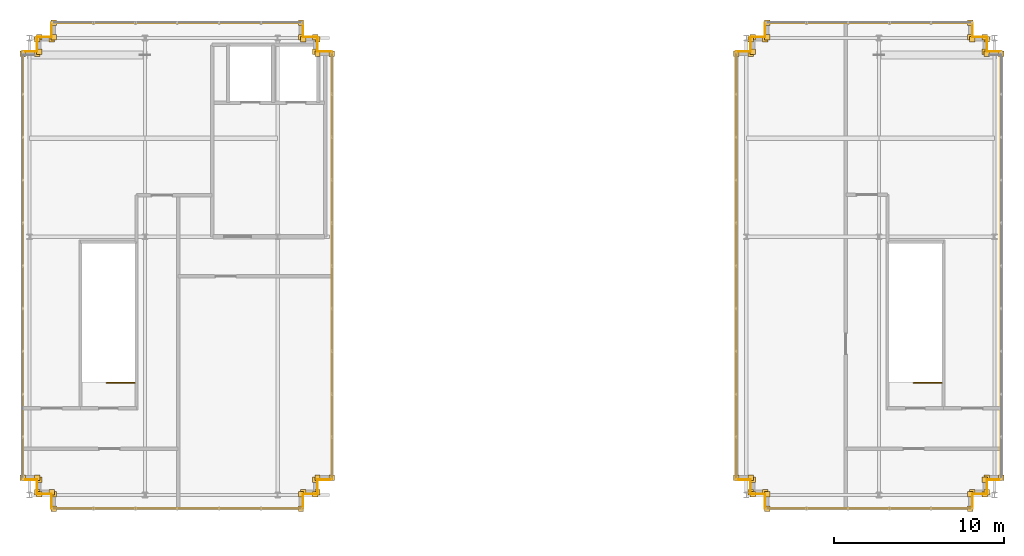
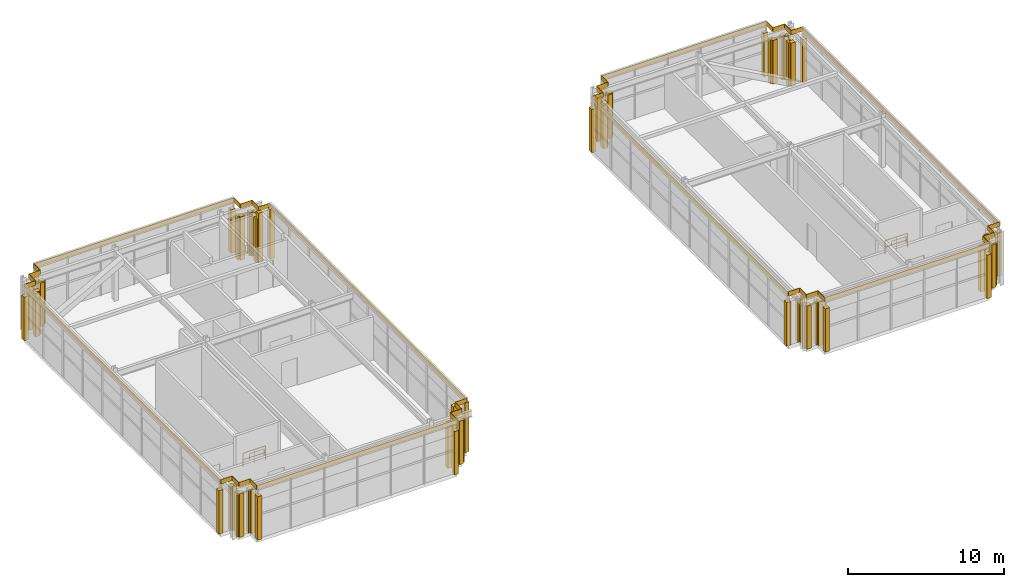
# One storey, part 25 of 25: 104 coverings, 2 railings.
"""IFC4 building model written with IfcOpenShell, lengths in metres."""

from ifc_helpers import new_model, si_unit, direction, frame, origin, origin_2d, place, context, subcontext, project, spatial, rectangle, extrude, source, transform, mapped, material, layer, layer_set, type_object, element, save


model = new_model("IFC4")

# Units and contexts
model_context = context("Model", 3, precision=1e-05, world=origin(), true_north=direction((0.0, 1.0)))
body_context = subcontext(model_context, "Body", "Model", "MODEL_VIEW")
ifc_project = project(units=[si_unit("LENGTHUNIT", "METRE"), si_unit("AREAUNIT", "SQUARE_METRE"), si_unit("VOLUMEUNIT", "CUBIC_METRE"), si_unit("PLANEANGLEUNIT", "RADIAN"), si_unit("MASSUNIT", "GRAM", prefix="KILO")], contexts=[model_context])

# Site, building, storey
site_placement = place(None, origin())
site = spatial("IfcSite", under=ifc_project, at=site_placement, CompositionType="ELEMENT")
building_placement = place(site_placement, origin())
building = spatial("IfcBuilding", under=site, at=building_placement, Name="Trelvane Seafront Commons", CompositionType="ELEMENT")
storey_placement = place(building_placement, frame((0.0, 0.0, 320.89990234375)))
storey = spatial("IfcBuildingStorey", under=building, at=storey_placement, Name="L83", CompositionType="ELEMENT", Elevation=320.89990234375)

# Railings
ifc_material_1 = material(Name="Stainless steel balustrade", Category="steel")
railing_type = type_object("IfcRailingType", Name="ARCH-SRL-GUARD", PredefinedType="GUARDRAIL", material=ifc_material_1)
for number, where, name in (
    (1, (15.0, 24.800048828125, 0.0), "L83 ST-5 top well guard 1"),
    (2, (62.5, 24.800048828125, 0.0), "L83 ST-6 top well guard 1"),
):
    element("IfcRailing", number, at=place(storey_placement, frame(where)), inside=storey, type_object=railing_type, Name=name, PredefinedType="GUARDRAIL", context=body_context, shape_type="SweptSolid", body=[
        extrude(rectangle(XDim=0.048095703125, YDim=0.048095703125, at=origin_2d()), frame((0.0, 0.0, 1.076171875), z_axis=(-1.0, 0.0, 0.0), x_axis=(0.0, -1.0, 0.0)), (0.0, 0.0, 1.0), 1.64990234375),
        extrude(rectangle(XDim=0.048095703125, YDim=0.048095703125, at=origin_2d()), frame((0.0, 0.0, 0.572021484375), z_axis=(-1.0, 0.0, 0.0), x_axis=(0.0, -1.0, 0.0)), (0.0, 0.0, 1.0), 1.64990234375),
        extrude(rectangle(XDim=0.0419921875, YDim=0.0419921875, at=origin_2d()), origin(), (0.0, 0.0, 1.0), 1.076171875),
        extrude(rectangle(XDim=0.0419921875, YDim=0.0419921875, at=origin_2d()), frame((-0.824951171875, 0.0, 0.0)), (0.0, 0.0, 1.0), 1.076171875),
        extrude(rectangle(XDim=0.0419921875, YDim=0.0419921875, at=origin_2d()), frame((-1.64990234375, 0.0, 0.0)), (0.0, 0.0, 1.0), 1.076171875),
    ])

# Coverings
ifc_material_2 = material(Name="Anodised pale-silver aluminium", Category="aluminium")
ifc_layer = layer(ifc_material_2, 0.034912109375, Name="ARCH-COV-CLAD35")
ifc_layer_set = layer_set([ifc_layer], Name="Anodised pale-silver aluminium")
covering_type = type_object("IfcCoveringType", Name="ARCH-COV-CLAD35", PredefinedType="CLADDING", material=ifc_layer_set)
shared_shape_1 = source(origin(), body_context, "Body", "SweptSolid", [
    extrude(rectangle(XDim=0.320068359375, YDim=0.320068359375, at=origin_2d()), origin(), (0.0, 0.0, 1.0), 3.39990234375),
])
for number, where, z_axis, x_axis, name in (
    (3, (10.10009765625, 18.3701171875, 0.000244140625), (0.0, 0.0, 1.0), (1.0, 0.0, 0.0), "CLD-CP-L83-00735"),
    (4, (9.25, 18.3701171875, 0.000244140625), (0.0, 0.0, 1.0), (1.0, 0.0, 0.0), "CLD-CP-L83-00736"),
    (5, (9.3701171875, 18.25, 0.000244140625), (0.0, 0.0, 1.0), (1.0, 0.0, 0.0), "CLD-CP-L83-00738"),
    (6, (9.3701171875, 19.10009765625, 0.000244140625), (0.0, 0.0, 1.0), (1.0, 0.0, 0.0), "CLD-CP-L83-00739"),
    (7, (9.25, 19.219970703125, 0.000244140625), (0.0, 0.0, 1.0), (1.0, 0.0, 0.0), "CLD-CP-L83-00741"),
    (8, (8.39990234375, 19.219970703125, 0.000244140625), (0.0, 0.0, 1.0), (1.0, 0.0, 0.0), "CLD-CP-L83-00742"),
    (9, (8.39990234375, 44.179931640625, 0.000244140625), (0.0, 0.0, 1.0), (1.0, 0.0, 0.0), "CLD-CP-L83-00745"),
    (10, (9.25, 44.179931640625, 0.000244140625), (0.0, 0.0, 1.0), (1.0, 0.0, 0.0), "CLD-CP-L83-00746"),
    (11, (9.3701171875, 44.300048828125, 0.000244140625), (0.0, 0.0, 1.0), (1.0, 0.0, 0.0), "CLD-CP-L83-00748"),
    (12, (9.3701171875, 45.14990234375, 0.000244140625), (0.0, 0.0, 1.0), (1.0, 0.0, 0.0), "CLD-CP-L83-00749"),
    (13, (9.25, 45.030029296875, 0.000244140625), (0.0, 0.0, 1.0), (1.0, 0.0, 0.0), "CLD-CP-L83-00751"),
    (14, (10.10009765625, 45.030029296875, 0.000244140625), (0.0, 0.0, 1.0), (1.0, 0.0, 0.0), "CLD-CP-L83-00752"),
    (15, (10.219970703125, 45.14990234375, 0.000244140625), (0.0, 0.0, 1.0), (1.0, 0.0, 0.0), "CLD-CP-L83-00754"),
    (16, (10.219970703125, 46.0, 0.000244140625), (0.0, 0.0, 1.0), (1.0, 0.0, 0.0), "CLD-CP-L83-00755"),
    (17, (24.780029296875, 46.0, 0.000244140625), (0.0, 0.0, 1.0), (1.0, 0.0, 0.0), "CLD-CP-L83-00758"),
    (18, (24.780029296875, 45.14990234375, 0.000244140625), (0.0, 0.0, 1.0), (1.0, 0.0, 0.0), "CLD-CP-L83-00759"),
    (19, (24.89990234375, 45.030029296875, 0.000244140625), (0.0, 0.0, 1.0), (1.0, 0.0, 0.0), "CLD-CP-L83-00761"),
    (20, (25.75, 45.030029296875, 0.000244140625), (0.0, 0.0, 1.0), (1.0, 0.0, 0.0), "CLD-CP-L83-00762"),
    (21, (25.6298828125, 45.14990234375, 0.000244140625), (0.0, 0.0, 1.0), (1.0, 0.0, 0.0), "CLD-CP-L83-00764"),
    (22, (25.6298828125, 44.300048828125, 0.000244140625), (0.0, 0.0, 1.0), (1.0, 0.0, 0.0), "CLD-CP-L83-00765"),
    (23, (25.6298828125, 19.10009765625, 0.000244140625), (0.0, 0.0, 1.0), (1.0, 0.0, 0.0), "CLD-CP-L83-00774"),
    (24, (25.6298828125, 18.25, 0.000244140625), (0.0, 0.0, 1.0), (1.0, 0.0, 0.0), "CLD-CP-L83-00775"),
    (25, (25.75, 18.3701171875, 0.000244140625), (0.0, 0.0, 1.0), (1.0, 0.0, 0.0), "CLD-CP-L83-00777"),
    (26, (24.89990234375, 18.3701171875, 0.000244140625), (0.0, 0.0, 1.0), (1.0, 0.0, 0.0), "CLD-CP-L83-00778"),
    (27, (24.780029296875, 18.25, 0.000244140625), (0.0, 0.0, 1.0), (1.0, 0.0, 0.0), "CLD-CP-L83-00780"),
    (28, (24.780029296875, 17.39990234375, 0.000244140625), (0.0, 0.0, 1.0), (1.0, 0.0, 0.0), "CLD-CP-L83-00781"),
    (29, (10.219970703125, 17.39990234375, 0.000244140625), (0.0, 0.0, 1.0), (1.0, 0.0, 0.0), "CLD-CP-L83-00784"),
    (30, (10.219970703125, 18.25, 0.000244140625), (0.0, 0.0, 1.0), (1.0, 0.0, 0.0), "CLD-CP-L83-00785"),
    (31, (52.10009765625, 18.3701171875, 0.000244140625), (0.0, 0.0, 1.0), (1.0, 0.0, 0.0), "CLD-CP-L83-00787"),
    (32, (51.25, 18.3701171875, 0.000244140625), (0.0, 0.0, 1.0), (1.0, 0.0, 0.0), "CLD-CP-L83-00788"),
    (33, (51.3701171875, 18.25, 0.000244140625), (0.0, 0.0, 1.0), (1.0, 0.0, 0.0), "CLD-CP-L83-00790"),
    (34, (51.3701171875, 19.10009765625, 0.000244140625), (0.0, 0.0, 1.0), (1.0, 0.0, 0.0), "CLD-CP-L83-00791"),
    (35, (51.25, 19.219970703125, 0.000244140625), (0.0, 0.0, 1.0), (1.0, 0.0, 0.0), "CLD-CP-L83-00793"),
    (36, (50.39990234375, 19.219970703125, 0.000244140625), (0.0, 0.0, 1.0), (1.0, 0.0, 0.0), "CLD-CP-L83-00794"),
    (37, (50.39990234375, 44.179931640625, 0.000244140625), (0.0, 0.0, 1.0), (1.0, 0.0, 0.0), "CLD-CP-L83-00797"),
    (38, (51.25, 44.179931640625, 0.000244140625), (0.0, 0.0, 1.0), (1.0, 0.0, 0.0), "CLD-CP-L83-00798"),
    (39, (51.3701171875, 44.300048828125, 0.000244140625), (0.0, 0.0, 1.0), (1.0, 0.0, 0.0), "CLD-CP-L83-00800"),
    (40, (51.3701171875, 45.14990234375, 0.000244140625), (0.0, 0.0, 1.0), (1.0, 0.0, 0.0), "CLD-CP-L83-00801"),
    (41, (51.25, 45.030029296875, 0.000244140625), (0.0, 0.0, 1.0), (1.0, 0.0, 0.0), "CLD-CP-L83-00803"),
    (42, (52.10009765625, 45.030029296875, 0.000244140625), (0.0, 0.0, 1.0), (1.0, 0.0, 0.0), "CLD-CP-L83-00804"),
    (43, (52.219970703125, 45.14990234375, 0.000244140625), (0.0, 0.0, 1.0), (1.0, 0.0, 0.0), "CLD-CP-L83-00806"),
    (44, (52.219970703125, 46.0, 0.000244140625), (0.0, 0.0, 1.0), (1.0, 0.0, 0.0), "CLD-CP-L83-00807"),
    (45, (64.179931640625, 46.0, 0.000244140625), (0.0, 0.0, 1.0), (1.0, 0.0, 0.0), "CLD-CP-L83-00810"),
    (46, (64.179931640625, 45.14990234375, 0.000244140625), (0.0, 0.0, 1.0), (1.0, 0.0, 0.0), "CLD-CP-L83-00811"),
    (47, (64.300048828125, 45.030029296875, 0.000244140625), (0.0, 0.0, 1.0), (1.0, 0.0, 0.0), "CLD-CP-L83-00813"),
    (48, (65.14990234375, 45.030029296875, 0.000244140625), (0.0, 0.0, 1.0), (1.0, 0.0, 0.0), "CLD-CP-L83-00814"),
    (49, (65.030029296875, 45.14990234375, 0.000244140625), (0.0, 0.0, 1.0), (1.0, 0.0, 0.0), "CLD-CP-L83-00816"),
    (50, (65.030029296875, 44.300048828125, 0.000244140625), (0.0, 0.0, 1.0), (1.0, 0.0, 0.0), "CLD-CP-L83-00817"),
    (51, (65.14990234375, 44.179931640625, 0.000244140625), (0.0, 0.0, 1.0), (1.0, 0.0, 0.0), "CLD-CP-L83-00819"),
    (52, (66.0, 44.179931640625, 0.000244140625), (0.0, 0.0, 1.0), (1.0, 0.0, 0.0), "CLD-CP-L83-00820"),
    (53, (66.0, 19.219970703125, 0.000244140625), (0.0, 0.0, 1.0), (1.0, 0.0, 0.0), "CLD-CP-L83-00823"),
    (54, (65.14990234375, 19.219970703125, 0.000244140625), (0.0, 0.0, 1.0), (1.0, 0.0, 0.0), "CLD-CP-L83-00824"),
    (55, (65.030029296875, 19.10009765625, 0.000244140625), (0.0, 0.0, 1.0), (1.0, 0.0, 0.0), "CLD-CP-L83-00826"),
    (56, (65.030029296875, 18.25, 0.000244140625), (0.0, 0.0, 1.0), (1.0, 0.0, 0.0), "CLD-CP-L83-00827"),
    (57, (65.14990234375, 18.3701171875, 0.000244140625), (0.0, 0.0, 1.0), (1.0, 0.0, 0.0), "CLD-CP-L83-00829"),
    (58, (64.300048828125, 18.3701171875, 0.000244140625), (0.0, 0.0, 1.0), (1.0, 0.0, 0.0), "CLD-CP-L83-00830"),
    (59, (64.179931640625, 18.25, 0.000244140625), (0.0, 0.0, 1.0), (1.0, 0.0, 0.0), "CLD-CP-L83-00832"),
    (60, (64.179931640625, 17.39990234375, 0.000244140625), (0.0, 0.0, 1.0), (1.0, 0.0, 0.0), "CLD-CP-L83-00833"),
    (61, (52.219970703125, 17.39990234375, 0.000244140625), (0.0, 0.0, 1.0), (1.0, 0.0, 0.0), "CLD-CP-L83-00836"),
    (62, (52.219970703125, 18.25, 0.000244140625), (0.0, 0.0, 1.0), (1.0, 0.0, 0.0), "CLD-CP-L83-00837"),
):
    element("IfcCovering", number, at=place(storey_placement, frame(where, z_axis=z_axis, x_axis=x_axis)), inside=storey, type_object=covering_type, Name=name, PredefinedType="CLADDING", context=body_context, shape_type="MappedRepresentation", body=[
        mapped(shared_shape_1, transform((0.0, 0.0, 0.0), x_axis=(1.0, 0.0, 0.0), y_axis=(0.0, 1.0, 0.0), z_axis=(0.0, 0.0, 1.0), scale=1.0)),
    ])
shared_shape_2 = source(origin(), body_context, "Body", "SweptSolid", [
    extrude(rectangle(XDim=0.85009765625, YDim=0.034912109375, at=origin_2d()), origin(), (0.0, 0.0, 1.0), 0.35009765625),
])
for number, where, z_axis, x_axis, name in (
    (63, (9.675048828125, 18.25, 3.85009765625), (0.0, 0.0, 1.0), (-1.0, 0.0, 0.0), "CLD-L83-0737"),
    (64, (9.25, 18.675048828125, 3.85009765625), (0.0, 0.0, 1.0), (0.0, 1.0, 0.0), "CLD-L83-0740"),
    (65, (8.824951171875, 19.10009765625, 3.85009765625), (0.0, 0.0, 1.0), (-1.0, 0.0, 0.0), "CLD-L83-0743"),
    (66, (8.824951171875, 44.300048828125, 3.85009765625), (0.0, 0.0, 1.0), (1.0, 0.0, 0.0), "CLD-L83-0747"),
    (67, (9.25, 44.72509765625, 3.85009765625), (0.0, 0.0, 1.0), (0.0, 1.0, 0.0), "CLD-L83-0750"),
    (68, (9.675048828125, 45.14990234375, 3.85009765625), (0.0, 0.0, 1.0), (1.0, 0.0, 0.0), "CLD-L83-0753"),
    (69, (10.10009765625, 45.574951171875, 3.85009765625), (0.0, 0.0, 1.0), (0.0, 1.0, 0.0), "CLD-L83-0756"),
    (70, (24.89990234375, 45.574951171875, 3.85009765625), (0.0, 0.0, 1.0), (0.0, -1.0, 0.0), "CLD-L83-0760"),
    (71, (25.324951171875, 45.14990234375, 3.85009765625), (0.0, 0.0, 1.0), (1.0, 0.0, 0.0), "CLD-L83-0763"),
    (72, (25.75, 44.72509765625, 3.85009765625), (0.0, 0.0, 1.0), (0.0, -1.0, 0.0), "CLD-L83-0766"),
    (73, (26.175048828125, 44.300048828125, 3.85009765625), (0.0, 0.0, 1.0), (1.0, 0.0, 0.0), "CLD-L83-0769"),
    (74, (26.175048828125, 19.10009765625, 3.85009765625), (0.0, 0.0, 1.0), (-1.0, 0.0, 0.0), "CLD-L83-0773"),
    (75, (25.75, 18.675048828125, 3.85009765625), (0.0, 0.0, 1.0), (0.0, -1.0, 0.0), "CLD-L83-0776"),
    (76, (25.324951171875, 18.25, 3.85009765625), (0.0, 0.0, 1.0), (-1.0, 0.0, 0.0), "CLD-L83-0779"),
    (77, (24.89990234375, 17.824951171875, 3.85009765625), (0.0, 0.0, 1.0), (0.0, -1.0, 0.0), "CLD-L83-0782"),
    (78, (10.10009765625, 17.824951171875, 3.85009765625), (0.0, 0.0, 1.0), (0.0, 1.0, 0.0), "CLD-L83-0786"),
    (79, (51.675048828125, 18.25, 3.85009765625), (0.0, 0.0, 1.0), (-1.0, 0.0, 0.0), "CLD-L83-0789"),
    (80, (51.25, 18.675048828125, 3.85009765625), (0.0, 0.0, 1.0), (0.0, 1.0, 0.0), "CLD-L83-0792"),
    (81, (50.824951171875, 19.10009765625, 3.85009765625), (0.0, 0.0, 1.0), (-1.0, 0.0, 0.0), "CLD-L83-0795"),
    (82, (50.824951171875, 44.300048828125, 3.85009765625), (0.0, 0.0, 1.0), (1.0, 0.0, 0.0), "CLD-L83-0799"),
    (83, (51.25, 44.72509765625, 3.85009765625), (0.0, 0.0, 1.0), (0.0, 1.0, 0.0), "CLD-L83-0802"),
    (84, (51.675048828125, 45.14990234375, 3.85009765625), (0.0, 0.0, 1.0), (1.0, 0.0, 0.0), "CLD-L83-0805"),
    (85, (52.10009765625, 45.574951171875, 3.85009765625), (0.0, 0.0, 1.0), (0.0, 1.0, 0.0), "CLD-L83-0808"),
    (86, (64.300048828125, 45.574951171875, 3.85009765625), (0.0, 0.0, 1.0), (0.0, -1.0, 0.0), "CLD-L83-0812"),
    (87, (64.72509765625, 45.14990234375, 3.85009765625), (0.0, 0.0, 1.0), (1.0, 0.0, 0.0), "CLD-L83-0815"),
    (88, (65.14990234375, 44.72509765625, 3.85009765625), (0.0, 0.0, 1.0), (0.0, -1.0, 0.0), "CLD-L83-0818"),
    (89, (65.574951171875, 44.300048828125, 3.85009765625), (0.0, 0.0, 1.0), (1.0, 0.0, 0.0), "CLD-L83-0821"),
    (90, (65.574951171875, 19.10009765625, 3.85009765625), (0.0, 0.0, 1.0), (-1.0, 0.0, 0.0), "CLD-L83-0825"),
    (91, (65.14990234375, 18.675048828125, 3.85009765625), (0.0, 0.0, 1.0), (0.0, -1.0, 0.0), "CLD-L83-0828"),
    (92, (64.72509765625, 18.25, 3.85009765625), (0.0, 0.0, 1.0), (-1.0, 0.0, 0.0), "CLD-L83-0831"),
    (93, (64.300048828125, 17.824951171875, 3.85009765625), (0.0, 0.0, 1.0), (0.0, -1.0, 0.0), "CLD-L83-0834"),
    (94, (52.10009765625, 17.824951171875, 3.85009765625), (0.0, 0.0, 1.0), (0.0, 1.0, 0.0), "CLD-L83-0838"),
):
    element("IfcCovering", number, at=place(storey_placement, frame(where, z_axis=z_axis, x_axis=x_axis)), inside=storey, type_object=covering_type, Name=name, PredefinedType="CLADDING", context=body_context, shape_type="MappedRepresentation", body=[
        mapped(shared_shape_2, transform((0.0, 0.0, 0.0), x_axis=(1.0, 0.0, 0.0), y_axis=(0.0, 1.0, 0.0), z_axis=(0.0, 0.0, 1.0), scale=1.0)),
    ])
shared_shape_3 = source(origin(), body_context, "Body", "SweptSolid", [
    extrude(rectangle(XDim=25.199951171875, YDim=0.034912109375, at=origin_2d()), origin(), (0.0, 0.0, 1.0), 0.35009765625),
])
for number, where, z_axis, x_axis, name in (
    (95, (8.39990234375, 31.699951171875, 3.85009765625), (0.0, 0.0, 1.0), (0.0, 1.0, 0.0), "CLD-L83-0744"),
    (96, (26.60009765625, 31.699951171875, 3.85009765625), (0.0, 0.0, 1.0), (0.0, -1.0, 0.0), "CLD-L83-0770"),
    (97, (50.39990234375, 31.699951171875, 3.85009765625), (0.0, 0.0, 1.0), (0.0, 1.0, 0.0), "CLD-L83-0796"),
    (98, (66.0, 31.699951171875, 3.85009765625), (0.0, 0.0, 1.0), (0.0, -1.0, 0.0), "CLD-L83-0822"),
):
    element("IfcCovering", number, at=place(storey_placement, frame(where, z_axis=z_axis, x_axis=x_axis)), inside=storey, type_object=covering_type, Name=name, PredefinedType="CLADDING", context=body_context, shape_type="MappedRepresentation", body=[
        mapped(shared_shape_3, transform((0.0, 0.0, 0.0), x_axis=(1.0, 0.0, 0.0), y_axis=(0.0, 1.0, 0.0), z_axis=(0.0, 0.0, 1.0), scale=1.0)),
    ])
shared_shape_4 = source(origin(), body_context, "Body", "SweptSolid", [
    extrude(rectangle(XDim=14.800048828125, YDim=0.034912109375, at=origin_2d()), origin(), (0.0, 0.0, 1.0), 0.35009765625),
])
for number, where, z_axis, x_axis, name in (
    (99, (17.5, 46.0, 3.85009765625), (0.0, 0.0, 1.0), (1.0, 0.0, 0.0), "CLD-L83-0757"),
    (100, (17.5, 17.39990234375, 3.85009765625), (0.0, 0.0, 1.0), (-1.0, 0.0, 0.0), "CLD-L83-0783"),
):
    element("IfcCovering", number, at=place(storey_placement, frame(where, z_axis=z_axis, x_axis=x_axis)), inside=storey, type_object=covering_type, Name=name, PredefinedType="CLADDING", context=body_context, shape_type="MappedRepresentation", body=[
        mapped(shared_shape_4, transform((0.0, 0.0, 0.0), x_axis=(1.0, 0.0, 0.0), y_axis=(0.0, 1.0, 0.0), z_axis=(0.0, 0.0, 1.0), scale=1.0)),
    ])
shared_shape_5 = source(origin(), body_context, "Body", "SweptSolid", [
    extrude(rectangle(XDim=0.320068359375, YDim=0.320068359375, at=origin_2d()), origin(), (0.0, 0.0, 1.0), 3.89990234375),
])
for number, where, z_axis, x_axis, name in (
    (101, (25.75, 44.179931640625, 0.000244140625), (0.0, 0.0, 1.0), (1.0, 0.0, 0.0), "CLD-CP-L83-00767"),
    (102, (26.60009765625, 44.179931640625, 0.000244140625), (0.0, 0.0, 1.0), (1.0, 0.0, 0.0), "CLD-CP-L83-00768"),
    (103, (26.60009765625, 19.219970703125, 0.000244140625), (0.0, 0.0, 1.0), (1.0, 0.0, 0.0), "CLD-CP-L83-00771"),
    (104, (25.75, 19.219970703125, 0.000244140625), (0.0, 0.0, 1.0), (1.0, 0.0, 0.0), "CLD-CP-L83-00772"),
):
    element("IfcCovering", number, at=place(storey_placement, frame(where, z_axis=z_axis, x_axis=x_axis)), inside=storey, type_object=covering_type, Name=name, PredefinedType="CLADDING", context=body_context, shape_type="MappedRepresentation", body=[
        mapped(shared_shape_5, transform((0.0, 0.0, 0.0), x_axis=(1.0, 0.0, 0.0), y_axis=(0.0, 1.0, 0.0), z_axis=(0.0, 0.0, 1.0), scale=1.0)),
    ])
shared_shape_6 = source(origin(), body_context, "Body", "SweptSolid", [
    extrude(rectangle(XDim=12.199951171875, YDim=0.034912109375, at=origin_2d()), origin(), (0.0, 0.0, 1.0), 0.35009765625),
])
for number, where, z_axis, x_axis, name in (
    (105, (58.199951171875, 46.0, 3.85009765625), (0.0, 0.0, 1.0), (1.0, 0.0, 0.0), "CLD-L83-0809"),
    (106, (58.199951171875, 17.39990234375, 3.85009765625), (0.0, 0.0, 1.0), (-1.0, 0.0, 0.0), "CLD-L83-0835"),
):
    element("IfcCovering", number, at=place(storey_placement, frame(where, z_axis=z_axis, x_axis=x_axis)), inside=storey, type_object=covering_type, Name=name, PredefinedType="CLADDING", context=body_context, shape_type="MappedRepresentation", body=[
        mapped(shared_shape_6, transform((0.0, 0.0, 0.0), x_axis=(1.0, 0.0, 0.0), y_axis=(0.0, 1.0, 0.0), z_axis=(0.0, 0.0, 1.0), scale=1.0)),
    ])

save(model, "model.ifc")
